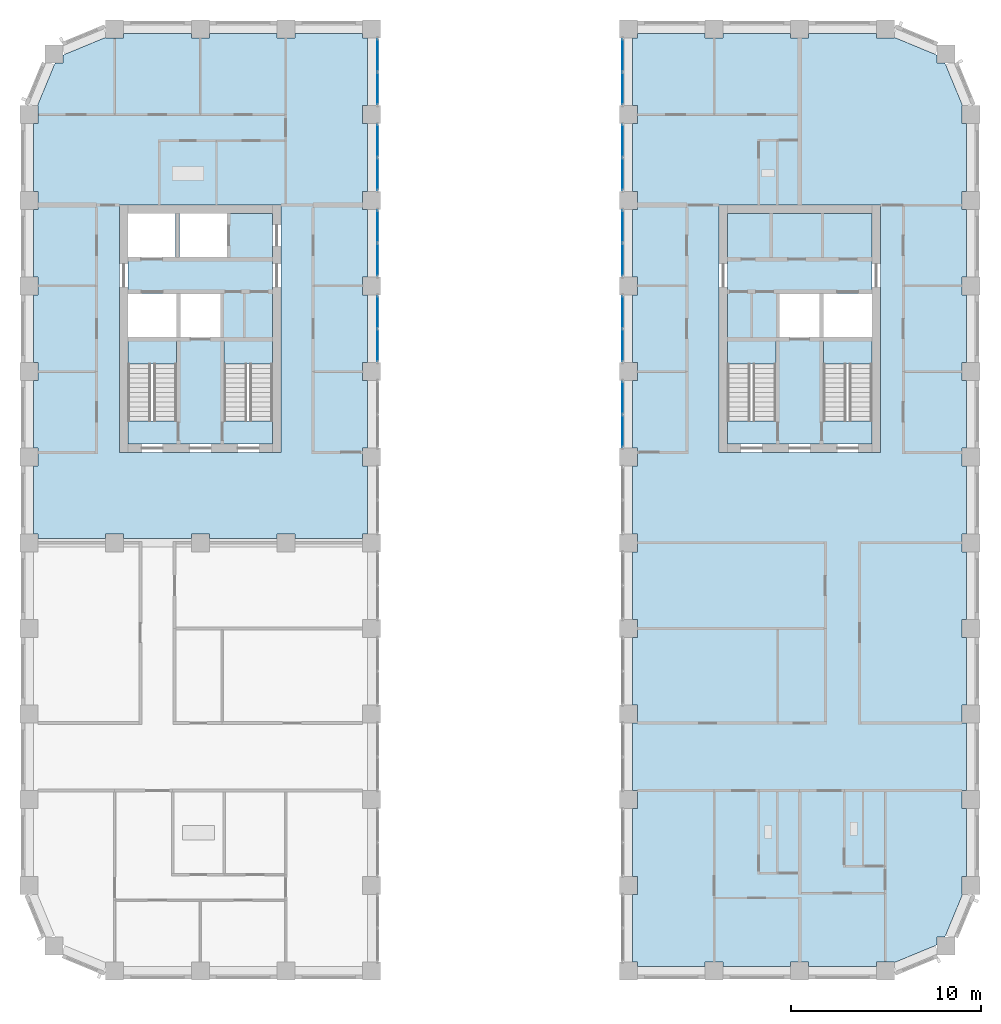
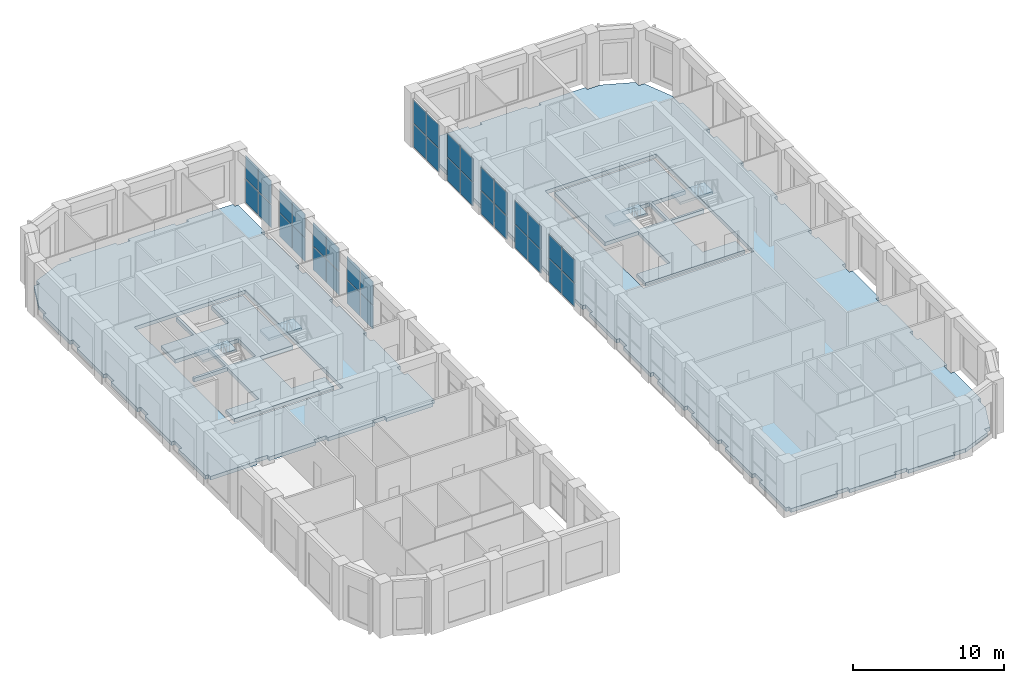
# One storey, part 8 of 19: 36 plates, 8 slabs, 13 elements without a shape of their own.
"""IFC4 building model written with IfcOpenShell, lengths in metres."""

import ifcopenshell
import ifcopenshell.guid

model = None  # the IFC model being written
_history = None  # IfcOwnerHistory: only IFC2X3 demands one
_inside = {}  # id of a spatial element -> (the spatial element, [elements in it])
_under = {}  # id of a project, library or spatial element -> (it, [spatial elements below it])
_declared = {}  # id of a project -> (the project, [libraries it declares])
_typed = {}  # id of a type object -> (the type object, [elements of that type])
_made_of = {}  # id of a material, layer set ... -> (it, [elements and type objects made of it])


def new_model(schema):
    """Start an empty IFC model of exactly this schema.

    Asked for "IFC4X3", IfcOpenShell would pick the latest addendum, in which some entities
    have other attributes; the version numbers below select the first issue.
    IFC2X3 requires an IfcOwnerHistory on every rooted entity: one is made here for all.
    """
    global model, _history
    if schema == "IFC4X3":
        model = ifcopenshell.file(schema_version=(4, 3, 0, 0))
    else:
        model = ifcopenshell.file(schema=schema)
    _inside.clear()
    _under.clear()
    _declared.clear()
    _typed.clear()
    _made_of.clear()
    _history = None
    if model.schema == "IFC2X3":
        org = make("IfcOrganization", Name="unknown")
        user = make(
            "IfcPersonAndOrganization",
            ThePerson=make("IfcPerson", FamilyName="unknown"),
            TheOrganization=org,
        )
        app = make(
            "IfcApplication",
            ApplicationDeveloper=org,
            Version="unknown",
            ApplicationFullName="unknown",
            ApplicationIdentifier="unknown",
        )
        _history = make(
            "IfcOwnerHistory",
            OwningUser=user,
            OwningApplication=app,
            ChangeAction="ADDED",
            CreationDate=0,
        )
    return model


def make(cls, **values):
    """One entity of the class cls with the attributes given. An attribute that is None is left unset."""
    return model.create_entity(
        cls, **{name: value for name, value in values.items() if value is not None}
    )


def rooted(cls, **values):
    """An entity with a GlobalId (a new one), such as an element, a storey or a relation."""
    return make(cls, GlobalId=ifcopenshell.guid.new(), OwnerHistory=_history, **values)


def si_unit(unit_type, name, prefix=None):
    """IfcSIUnit, for example si_unit("LENGTHUNIT", "METRE", prefix="MILLI")."""
    return make("IfcSIUnit", UnitType=unit_type, Prefix=prefix, Name=name)


def assignment(units):
    """IfcUnitAssignment: the units of a project."""
    return None if units is None else make("IfcUnitAssignment", Units=units)


def point(xyz):
    """IfcCartesianPoint."""
    return None if xyz is None else make("IfcCartesianPoint", Coordinates=xyz)


def direction(xyz):
    """IfcDirection."""
    return None if xyz is None else make("IfcDirection", DirectionRatios=xyz)


def frame(location, z_axis=None, x_axis=None):
    """IfcAxis2Placement3D, a coordinate frame: its origin and axes. An axis left out is left unset."""
    return make(
        "IfcAxis2Placement3D",
        Location=point(location),
        Axis=direction(z_axis),
        RefDirection=direction(x_axis),
    )


def frame_2d(location, x_axis=None):
    """IfcAxis2Placement2D, a coordinate frame in the plane: its origin and x axis."""
    return make(
        "IfcAxis2Placement2D", Location=point(location), RefDirection=direction(x_axis)
    )


def origin():
    """The frame at (0, 0, 0) with its axes left unset."""
    return frame((0.0, 0.0, 0.0))


def origin_2d():
    """The frame at (0, 0) in the plane with its x axis left unset."""
    return frame_2d((0.0, 0.0))


def place(relative_to, where):
    """IfcLocalPlacement: puts the frame where relative to a parent placement (None: the world)."""
    return make(
        "IfcLocalPlacement", PlacementRelTo=relative_to, RelativePlacement=where
    )


def context(
    kind, dimensions, precision=None, world=None, true_north=None, identifier=None
):
    """IfcGeometricRepresentationContext, for example the 3D "Model" context."""
    return make(
        "IfcGeometricRepresentationContext",
        ContextIdentifier=identifier,
        ContextType=kind,
        CoordinateSpaceDimension=dimensions,
        Precision=precision,
        WorldCoordinateSystem=world,
        TrueNorth=true_north,
    )


def subcontext(parent, identifier, kind, view, scale=None):
    """IfcGeometricRepresentationSubContext, for example "Body" below "Model"."""
    return make(
        "IfcGeometricRepresentationSubContext",
        ContextIdentifier=identifier,
        ContextType=kind,
        ParentContext=parent,
        TargetScale=scale,
        TargetView=view,
    )


def project(units=None, contexts=None):
    """IfcProject with its units and contexts."""
    return rooted(
        "IfcProject",
        Name="project",
        RepresentationContexts=contexts,
        UnitsInContext=assignment(units),
    )


def spatial(cls, under=None, at=None, **own):
    """A site, building, storey or space (cls), placed at a placement, below another one or the project."""
    s = rooted(cls, ObjectPlacement=at, **own)
    if under is not None:
        _under.setdefault(under.id(), (under, []))[1].append(s)
    return s


def polyline(points):
    """IfcPolyline through the points."""
    return make("IfcPolyline", Points=[point(p) for p in points])


def profile(cls, at=None, kind="AREA", **sizes):
    """A parametric profile (cls). Its sizes go by their IFC names, for example OverallWidth=200.0."""
    return make(cls, ProfileType=kind, Position=at, **sizes)


def rectangle(**sizes):
    """IfcRectangleProfileDef."""
    return profile("IfcRectangleProfileDef", **sizes)


def outline(outer, holes=None, kind="AREA"):
    """IfcArbitraryClosedProfileDef: a profile drawn as a closed curve; with holes, ...WithVoids."""
    if holes is None:
        return make("IfcArbitraryClosedProfileDef", ProfileType=kind, OuterCurve=outer)
    return make(
        "IfcArbitraryProfileDefWithVoids",
        ProfileType=kind,
        OuterCurve=outer,
        InnerCurves=holes,
    )


def extrude(swept, where, along, depth):
    """IfcExtrudedAreaSolid: the profile swept, set in the frame where, extruded along a direction by depth."""
    return make(
        "IfcExtrudedAreaSolid",
        SweptArea=swept,
        Position=where,
        ExtrudedDirection=direction(along),
        Depth=depth,
    )


def shape(context_of_items, identifier, shape_type, items):
    """IfcShapeRepresentation: the items that make up one representation, for example the "Body"."""
    return make(
        "IfcShapeRepresentation",
        ContextOfItems=context_of_items,
        RepresentationIdentifier=identifier,
        RepresentationType=shape_type,
        Items=items,
    )


def material(Name=None, Category=None):
    """IfcMaterial."""
    return make("IfcMaterial", Name=Name, Category=Category)


def layer(
    of_material, thickness, ventilated=None, Name=None, Category=None, Priority=None
):
    """IfcMaterialLayer: one layer of a wall or slab, of a material (None: an air gap)."""
    return make(
        "IfcMaterialLayer",
        Material=of_material,
        LayerThickness=thickness,
        IsVentilated=ventilated,
        Name=Name,
        Category=Category,
        Priority=Priority,
    )


def layer_set(layers, Name=None):
    """IfcMaterialLayerSet."""
    return make("IfcMaterialLayerSet", MaterialLayers=layers, LayerSetName=Name)


def made_of(thing, what):
    """Note that an element or type object is made of a material, layer set ...; save() writes the relation."""
    if what is not None:
        _made_of.setdefault(what.id(), (what, []))[1].append(thing)
    return thing


def type_object(cls, material=None, **own):
    """A type object (cls), such as IfcWallType, which elements share."""
    return made_of(rooted(cls, **own), material)


def element(
    cls,
    number,
    at=None,
    inside=None,
    cuts=None,
    type_object=None,
    material=None,
    context=None,
    identifier="Body",
    shape_type=None,
    held_by="IfcProductDefinitionShape",
    body=None,
    shapes=None,
    **own,
):
    """One element of the class cls, such as IfcWall. Its Tag is "e" and its number.

    at: its placement. inside: the storey or other place that contains it. cuts: it is an
    opening in that element (IfcRelVoidsElement). A single representation is given by context,
    identifier, shape_type and body (its items); several are given by shapes. held_by: the class
    of the entity that holds the representations. save() writes the other relations.
    """
    e = rooted(cls, Tag="e%d" % number, ObjectPlacement=at, **own)
    if body is not None:
        shapes = [shape(context, identifier, shape_type, body)]
    if shapes is not None:
        e.Representation = make(held_by, Representations=shapes)
    if inside is not None:
        _inside.setdefault(inside.id(), (inside, []))[1].append(e)
    if cuts is not None:
        rooted(
            "IfcRelVoidsElement", RelatingBuildingElement=cuts, RelatedOpeningElement=e
        )
    if type_object is not None:
        _typed.setdefault(type_object.id(), (type_object, []))[1].append(e)
    return made_of(e, material)


def aggregate(whole, parts):
    """IfcRelAggregates: a whole, such as a stair, and the parts it consists of."""
    return rooted("IfcRelAggregates", RelatingObject=whole, RelatedObjects=parts)


def save(model, path):
    """Write the relations noted so far, then the file.

    IfcRelAggregates (storeys below a building ...), IfcRelContainedInSpatialStructure (elements
    in a storey), IfcRelDefinesByType, IfcRelAssociatesMaterial and IfcRelDeclares: one each for
    every whole, place, type object, material and project.
    """
    for whole, parts in _under.values():
        aggregate(whole, parts)
    for where, things in _inside.values():
        rooted(
            "IfcRelContainedInSpatialStructure",
            RelatedElements=things,
            RelatingStructure=where,
        )
    for kind, things in _typed.values():
        rooted("IfcRelDefinesByType", RelatedObjects=things, RelatingType=kind)
    for what, things in _made_of.values():
        rooted("IfcRelAssociatesMaterial", RelatedObjects=things, RelatingMaterial=what)
    for by, libraries in _declared.values():
        rooted("IfcRelDeclares", RelatingContext=by, RelatedDefinitions=libraries)
    model.write(path)


model = new_model("IFC4")

# Units and contexts
model_context = context("Model", 3, precision=1e-05, world=origin(), true_north=direction((0.0, 1.0)))
body_context = subcontext(model_context, "Body", "Model", "MODEL_VIEW")
ifc_project = project(units=[si_unit("LENGTHUNIT", "METRE"), si_unit("AREAUNIT", "SQUARE_METRE"), si_unit("VOLUMEUNIT", "CUBIC_METRE"), si_unit("PLANEANGLEUNIT", "RADIAN"), si_unit("MASSUNIT", "GRAM", prefix="KILO")], contexts=[model_context])

# Site, building, storey
site_placement = place(None, origin())
site = spatial("IfcSite", under=ifc_project, at=site_placement, CompositionType="ELEMENT")
building_placement = place(site_placement, origin())
building = spatial("IfcBuilding", under=site, at=building_placement, Name="Girih Gate Residences", CompositionType="ELEMENT")
storey_placement = place(building_placement, frame((0.0, 0.0, 163.800048828125)))
storey = spatial("IfcBuildingStorey", under=building, at=storey_placement, Name="L45", CompositionType="ELEMENT", Elevation=163.800048828125)

# Slabs
ifc_material_1 = material(Name="Concrete C40/50", Category="concrete")
ifc_layer_1 = layer(ifc_material_1, 0.300048828125)
ifc_layer_set_1 = layer_set([ifc_layer_1], Name="Core floor slab 300")
slab_type_1 = type_object("IfcSlabType", Name="Core floor slab 300", PredefinedType="FLOOR", material=ifc_layer_set_1)
slab_1_placement = place(storey_placement, frame((0.0, 0.0, -0.300048828125)))
element("IfcSlab", 1, at=slab_1_placement, inside=storey, type_object=slab_type_1, Name="L45 W core floor", PredefinedType="FLOOR", context=body_context, shape_type="SweptSolid", body=[
    extrude(outline(polyline([(12.800048828125, 27.699951171875), (5.199951171875, 27.699951171875), (5.199951171875, 28.900634765625), (7.75, 28.900634765625), (7.75, 33.10009765625), (5.199951171875, 33.10009765625), (5.199951171875, 33.300048828125), (7.75, 33.300048828125), (7.75, 35.60009765625), (5.199951171875, 35.60009765625), (5.199951171875, 37.5), (7.699951171875, 37.5), (7.699951171875, 39.800048828125), (7.89990234375, 39.800048828125), (7.89990234375, 37.5), (10.39990234375, 37.5), (10.39990234375, 39.800048828125), (12.800048828125, 39.800048828125), (12.800048828125, 33.10009765625), (10.25, 33.10009765625), (10.25, 28.900634765625), (12.800048828125, 28.900634765625), (12.800048828125, 27.699951171875)]), holes=[polyline([(7.949951171875, 33.300048828125), (10.050048828125, 33.300048828125), (10.050048828125, 35.60009765625), (7.949951171875, 35.60009765625), (7.949951171875, 33.300048828125)])]), origin(), (0.0, 0.0, 1.0), 0.300048828125),
])
slab_2_placement = place(storey_placement, frame((0.0, 0.0, -0.300048828125)))
element("IfcSlab", 2, at=slab_2_placement, inside=storey, type_object=slab_type_1, Name="L45 E core floor", PredefinedType="FLOOR", context=body_context, shape_type="SweptSolid", body=[
    extrude(outline(polyline([(44.300048828125, 27.699951171875), (36.699951171875, 27.699951171875), (36.699951171875, 28.900634765625), (39.25, 28.900634765625), (39.25, 33.10009765625), (36.699951171875, 33.10009765625), (36.699951171875, 39.800048828125), (44.300048828125, 39.800048828125), (44.300048828125, 35.60009765625), (41.75, 35.60009765625), (41.75, 33.300048828125), (44.300048828125, 33.300048828125), (44.300048828125, 33.10009765625), (41.75, 33.10009765625), (41.75, 28.900634765625), (44.300048828125, 28.900634765625), (44.300048828125, 27.699951171875)]), holes=[polyline([(39.449951171875, 33.300048828125), (41.550048828125, 33.300048828125), (41.550048828125, 35.60009765625), (39.449951171875, 35.60009765625), (39.449951171875, 33.300048828125)])]), origin(), (0.0, 0.0, 1.0), 0.300048828125),
])

# Curtain wall, plates
ifc_material_2 = material(Name="Aluminium curtain wall frame", Category="aluminium")
curtain_wall_type = type_object("IfcCurtainWallType", Name="Curtain wall CW-7 portal lounge glazing", PredefinedType="NOTDEFINED", material=ifc_material_2)
curtain_wall_1_placement = place(storey_placement, origin())
curtain_wall_1 = element("IfcCurtainWall", 3, at=curtain_wall_1_placement, inside=storey, type_object=curtain_wall_type, Name="CW-7 Portal lounge glazing E0180_0000.7", PredefinedType="NOTDEFINED")
ifc_material_3 = material(Name="Double glazed unit")
ifc_layer_2 = layer(ifc_material_3, 0.028076171875)
ifc_layer_set_2 = layer_set([ifc_layer_2], Name="Curtain wall glass panel 28")
plate_type = type_object("IfcPlateType", Name="Curtain wall glass panel 28", PredefinedType="CURTAIN_PANEL", material=ifc_layer_set_2)
plate_1_placement = place(storey_placement, frame((18.31494140625, 32.87744140625, 0.06005859375), z_axis=(0.0, 0.0, 1.0), x_axis=(0.0, 1.0, 0.0)))
plate_1 = element("IfcPlate", 4, at=plate_1_placement, type_object=plate_type, Name="CW-7 panel 1.1", PredefinedType="CURTAIN_PANEL", context=body_context, shape_type="SweptSolid", body=[
    extrude(rectangle(XDim=1.68505859375, YDim=0.028076171875, at=origin_2d()), origin(), (0.0, 0.0, 1.0), 1.885009765625),
])
plate_2_placement = place(storey_placement, frame((18.31494140625, 32.87744140625, 2.0048828125), z_axis=(0.0, 0.0, 1.0), x_axis=(0.0, 1.0, 0.0)))
plate_2 = element("IfcPlate", 5, at=plate_2_placement, type_object=plate_type, Name="CW-7 panel 1.2", PredefinedType="CURTAIN_PANEL", context=body_context, shape_type="SweptSolid", body=[
    extrude(rectangle(XDim=1.68505859375, YDim=0.028076171875, at=origin_2d()), origin(), (0.0, 0.0, 1.0), 1.885009765625),
])
plate_3_placement = place(storey_placement, frame((18.31494140625, 34.62255859375, 0.06005859375), z_axis=(0.0, 0.0, 1.0), x_axis=(0.0, 1.0, 0.0)))
plate_3 = element("IfcPlate", 6, at=plate_3_placement, type_object=plate_type, Name="CW-7 panel 2.1", PredefinedType="CURTAIN_PANEL", context=body_context, shape_type="SweptSolid", body=[
    extrude(rectangle(XDim=1.68505859375, YDim=0.028076171875, at=origin_2d()), origin(), (0.0, 0.0, 1.0), 1.885009765625),
])
plate_4_placement = place(storey_placement, frame((18.31494140625, 34.62255859375, 2.0048828125), z_axis=(0.0, 0.0, 1.0), x_axis=(0.0, 1.0, 0.0)))
plate_4 = element("IfcPlate", 7, at=plate_4_placement, type_object=plate_type, Name="CW-7 panel 2.2", PredefinedType="CURTAIN_PANEL", context=body_context, shape_type="SweptSolid", body=[
    extrude(rectangle(XDim=1.68505859375, YDim=0.028076171875, at=origin_2d()), origin(), (0.0, 0.0, 1.0), 1.885009765625),
])
aggregate(curtain_wall_1, [plate_1, plate_2, plate_3, plate_4])

curtain_wall_2_placement = place(storey_placement, origin())
curtain_wall_2 = element("IfcCurtainWall", 8, at=curtain_wall_2_placement, inside=storey, type_object=curtain_wall_type, Name="CW-7 Portal lounge glazing E0180_0000.8", PredefinedType="NOTDEFINED")
plate_5_placement = place(storey_placement, frame((18.31494140625, 37.37744140625, 0.06005859375), z_axis=(0.0, 0.0, 1.0), x_axis=(0.0, 1.0, 0.0)))
plate_5 = element("IfcPlate", 9, at=plate_5_placement, type_object=plate_type, Name="CW-7 panel 1.1", PredefinedType="CURTAIN_PANEL", context=body_context, shape_type="SweptSolid", body=[
    extrude(rectangle(XDim=1.68505859375, YDim=0.028076171875, at=origin_2d()), origin(), (0.0, 0.0, 1.0), 1.885009765625),
])
plate_6_placement = place(storey_placement, frame((18.31494140625, 37.37744140625, 2.0048828125), z_axis=(0.0, 0.0, 1.0), x_axis=(0.0, 1.0, 0.0)))
plate_6 = element("IfcPlate", 10, at=plate_6_placement, type_object=plate_type, Name="CW-7 panel 1.2", PredefinedType="CURTAIN_PANEL", context=body_context, shape_type="SweptSolid", body=[
    extrude(rectangle(XDim=1.68505859375, YDim=0.028076171875, at=origin_2d()), origin(), (0.0, 0.0, 1.0), 1.885009765625),
])
plate_7_placement = place(storey_placement, frame((18.31494140625, 39.12255859375, 0.06005859375), z_axis=(0.0, 0.0, 1.0), x_axis=(0.0, 1.0, 0.0)))
plate_7 = element("IfcPlate", 11, at=plate_7_placement, type_object=plate_type, Name="CW-7 panel 2.1", PredefinedType="CURTAIN_PANEL", context=body_context, shape_type="SweptSolid", body=[
    extrude(rectangle(XDim=1.68505859375, YDim=0.028076171875, at=origin_2d()), origin(), (0.0, 0.0, 1.0), 1.885009765625),
])
plate_8_placement = place(storey_placement, frame((18.31494140625, 39.12255859375, 2.0048828125), z_axis=(0.0, 0.0, 1.0), x_axis=(0.0, 1.0, 0.0)))
plate_8 = element("IfcPlate", 12, at=plate_8_placement, type_object=plate_type, Name="CW-7 panel 2.2", PredefinedType="CURTAIN_PANEL", context=body_context, shape_type="SweptSolid", body=[
    extrude(rectangle(XDim=1.68505859375, YDim=0.028076171875, at=origin_2d()), origin(), (0.0, 0.0, 1.0), 1.885009765625),
])
aggregate(curtain_wall_2, [plate_5, plate_6, plate_7, plate_8])

curtain_wall_3_placement = place(storey_placement, origin())
curtain_wall_3 = element("IfcCurtainWall", 13, at=curtain_wall_3_placement, inside=storey, type_object=curtain_wall_type, Name="CW-7 Portal lounge glazing E0180_0000.9", PredefinedType="NOTDEFINED")
plate_9_placement = place(storey_placement, frame((18.31494140625, 41.87744140625, 0.06005859375), z_axis=(0.0, 0.0, 1.0), x_axis=(0.0, 1.0, 0.0)))
plate_9 = element("IfcPlate", 14, at=plate_9_placement, type_object=plate_type, Name="CW-7 panel 1.1", PredefinedType="CURTAIN_PANEL", context=body_context, shape_type="SweptSolid", body=[
    extrude(rectangle(XDim=1.68505859375, YDim=0.028076171875, at=origin_2d()), origin(), (0.0, 0.0, 1.0), 1.885009765625),
])
plate_10_placement = place(storey_placement, frame((18.31494140625, 41.87744140625, 2.0048828125), z_axis=(0.0, 0.0, 1.0), x_axis=(0.0, 1.0, 0.0)))
plate_10 = element("IfcPlate", 15, at=plate_10_placement, type_object=plate_type, Name="CW-7 panel 1.2", PredefinedType="CURTAIN_PANEL", context=body_context, shape_type="SweptSolid", body=[
    extrude(rectangle(XDim=1.68505859375, YDim=0.028076171875, at=origin_2d()), origin(), (0.0, 0.0, 1.0), 1.885009765625),
])
plate_11_placement = place(storey_placement, frame((18.31494140625, 43.62255859375, 0.06005859375), z_axis=(0.0, 0.0, 1.0), x_axis=(0.0, 1.0, 0.0)))
plate_11 = element("IfcPlate", 16, at=plate_11_placement, type_object=plate_type, Name="CW-7 panel 2.1", PredefinedType="CURTAIN_PANEL", context=body_context, shape_type="SweptSolid", body=[
    extrude(rectangle(XDim=1.68505859375, YDim=0.028076171875, at=origin_2d()), origin(), (0.0, 0.0, 1.0), 1.885009765625),
])
plate_12_placement = place(storey_placement, frame((18.31494140625, 43.62255859375, 2.0048828125), z_axis=(0.0, 0.0, 1.0), x_axis=(0.0, 1.0, 0.0)))
plate_12 = element("IfcPlate", 17, at=plate_12_placement, type_object=plate_type, Name="CW-7 panel 2.2", PredefinedType="CURTAIN_PANEL", context=body_context, shape_type="SweptSolid", body=[
    extrude(rectangle(XDim=1.68505859375, YDim=0.028076171875, at=origin_2d()), origin(), (0.0, 0.0, 1.0), 1.885009765625),
])
aggregate(curtain_wall_3, [plate_9, plate_10, plate_11, plate_12])

curtain_wall_4_placement = place(storey_placement, origin())
curtain_wall_4 = element("IfcCurtainWall", 18, at=curtain_wall_4_placement, inside=storey, type_object=curtain_wall_type, Name="CW-7 Portal lounge glazing E0180_0000.10", PredefinedType="NOTDEFINED")
plate_13_placement = place(storey_placement, frame((18.31494140625, 46.37744140625, 0.06005859375), z_axis=(0.0, 0.0, 1.0), x_axis=(0.0, 1.0, 0.0)))
plate_13 = element("IfcPlate", 19, at=plate_13_placement, type_object=plate_type, Name="CW-7 panel 1.1", PredefinedType="CURTAIN_PANEL", context=body_context, shape_type="SweptSolid", body=[
    extrude(rectangle(XDim=1.68505859375, YDim=0.028076171875, at=origin_2d()), origin(), (0.0, 0.0, 1.0), 1.885009765625),
])
plate_14_placement = place(storey_placement, frame((18.31494140625, 46.37744140625, 2.0048828125), z_axis=(0.0, 0.0, 1.0), x_axis=(0.0, 1.0, 0.0)))
plate_14 = element("IfcPlate", 20, at=plate_14_placement, type_object=plate_type, Name="CW-7 panel 1.2", PredefinedType="CURTAIN_PANEL", context=body_context, shape_type="SweptSolid", body=[
    extrude(rectangle(XDim=1.68505859375, YDim=0.028076171875, at=origin_2d()), origin(), (0.0, 0.0, 1.0), 1.885009765625),
])
plate_15_placement = place(storey_placement, frame((18.31494140625, 48.12255859375, 0.06005859375), z_axis=(0.0, 0.0, 1.0), x_axis=(0.0, 1.0, 0.0)))
plate_15 = element("IfcPlate", 21, at=plate_15_placement, type_object=plate_type, Name="CW-7 panel 2.1", PredefinedType="CURTAIN_PANEL", context=body_context, shape_type="SweptSolid", body=[
    extrude(rectangle(XDim=1.68505859375, YDim=0.028076171875, at=origin_2d()), origin(), (0.0, 0.0, 1.0), 1.885009765625),
])
plate_16_placement = place(storey_placement, frame((18.31494140625, 48.12255859375, 2.0048828125), z_axis=(0.0, 0.0, 1.0), x_axis=(0.0, 1.0, 0.0)))
plate_16 = element("IfcPlate", 22, at=plate_16_placement, type_object=plate_type, Name="CW-7 panel 2.2", PredefinedType="CURTAIN_PANEL", context=body_context, shape_type="SweptSolid", body=[
    extrude(rectangle(XDim=1.68505859375, YDim=0.028076171875, at=origin_2d()), origin(), (0.0, 0.0, 1.0), 1.885009765625),
])
aggregate(curtain_wall_4, [plate_13, plate_14, plate_15, plate_16])

curtain_wall_5_placement = place(storey_placement, origin())
curtain_wall_5 = element("IfcCurtainWall", 23, at=curtain_wall_5_placement, inside=storey, type_object=curtain_wall_type, Name="CW-7 Portal lounge glazing W0315_0495.0", PredefinedType="NOTDEFINED")
plate_17_placement = place(storey_placement, frame((31.18505859375, 48.12255859375, 0.06005859375), z_axis=(0.0, 0.0, 1.0), x_axis=(0.0, -1.0, 0.0)))
plate_17 = element("IfcPlate", 24, at=plate_17_placement, type_object=plate_type, Name="CW-7 panel 1.1", PredefinedType="CURTAIN_PANEL", context=body_context, shape_type="SweptSolid", body=[
    extrude(rectangle(XDim=1.68505859375, YDim=0.028076171875, at=origin_2d()), origin(), (0.0, 0.0, 1.0), 1.885009765625),
])
plate_18_placement = place(storey_placement, frame((31.18505859375, 48.12255859375, 2.0048828125), z_axis=(0.0, 0.0, 1.0), x_axis=(0.0, -1.0, 0.0)))
plate_18 = element("IfcPlate", 25, at=plate_18_placement, type_object=plate_type, Name="CW-7 panel 1.2", PredefinedType="CURTAIN_PANEL", context=body_context, shape_type="SweptSolid", body=[
    extrude(rectangle(XDim=1.68505859375, YDim=0.028076171875, at=origin_2d()), origin(), (0.0, 0.0, 1.0), 1.885009765625),
])
plate_19_placement = place(storey_placement, frame((31.18505859375, 46.37744140625, 0.06005859375), z_axis=(0.0, 0.0, 1.0), x_axis=(0.0, -1.0, 0.0)))
plate_19 = element("IfcPlate", 26, at=plate_19_placement, type_object=plate_type, Name="CW-7 panel 2.1", PredefinedType="CURTAIN_PANEL", context=body_context, shape_type="SweptSolid", body=[
    extrude(rectangle(XDim=1.68505859375, YDim=0.028076171875, at=origin_2d()), origin(), (0.0, 0.0, 1.0), 1.885009765625),
])
plate_20_placement = place(storey_placement, frame((31.18505859375, 46.37744140625, 2.0048828125), z_axis=(0.0, 0.0, 1.0), x_axis=(0.0, -1.0, 0.0)))
plate_20 = element("IfcPlate", 27, at=plate_20_placement, type_object=plate_type, Name="CW-7 panel 2.2", PredefinedType="CURTAIN_PANEL", context=body_context, shape_type="SweptSolid", body=[
    extrude(rectangle(XDim=1.68505859375, YDim=0.028076171875, at=origin_2d()), origin(), (0.0, 0.0, 1.0), 1.885009765625),
])
aggregate(curtain_wall_5, [plate_17, plate_18, plate_19, plate_20])

curtain_wall_6_placement = place(storey_placement, origin())
curtain_wall_6 = element("IfcCurtainWall", 28, at=curtain_wall_6_placement, inside=storey, type_object=curtain_wall_type, Name="CW-7 Portal lounge glazing W0315_0495.1", PredefinedType="NOTDEFINED")
plate_21_placement = place(storey_placement, frame((31.18505859375, 43.62255859375, 0.06005859375), z_axis=(0.0, 0.0, 1.0), x_axis=(0.0, -1.0, 0.0)))
plate_21 = element("IfcPlate", 29, at=plate_21_placement, type_object=plate_type, Name="CW-7 panel 1.1", PredefinedType="CURTAIN_PANEL", context=body_context, shape_type="SweptSolid", body=[
    extrude(rectangle(XDim=1.68505859375, YDim=0.028076171875, at=origin_2d()), origin(), (0.0, 0.0, 1.0), 1.885009765625),
])
plate_22_placement = place(storey_placement, frame((31.18505859375, 43.62255859375, 2.0048828125), z_axis=(0.0, 0.0, 1.0), x_axis=(0.0, -1.0, 0.0)))
plate_22 = element("IfcPlate", 30, at=plate_22_placement, type_object=plate_type, Name="CW-7 panel 1.2", PredefinedType="CURTAIN_PANEL", context=body_context, shape_type="SweptSolid", body=[
    extrude(rectangle(XDim=1.68505859375, YDim=0.028076171875, at=origin_2d()), origin(), (0.0, 0.0, 1.0), 1.885009765625),
])
plate_23_placement = place(storey_placement, frame((31.18505859375, 41.87744140625, 0.06005859375), z_axis=(0.0, 0.0, 1.0), x_axis=(0.0, -1.0, 0.0)))
plate_23 = element("IfcPlate", 31, at=plate_23_placement, type_object=plate_type, Name="CW-7 panel 2.1", PredefinedType="CURTAIN_PANEL", context=body_context, shape_type="SweptSolid", body=[
    extrude(rectangle(XDim=1.68505859375, YDim=0.028076171875, at=origin_2d()), origin(), (0.0, 0.0, 1.0), 1.885009765625),
])
plate_24_placement = place(storey_placement, frame((31.18505859375, 41.87744140625, 2.0048828125), z_axis=(0.0, 0.0, 1.0), x_axis=(0.0, -1.0, 0.0)))
plate_24 = element("IfcPlate", 32, at=plate_24_placement, type_object=plate_type, Name="CW-7 panel 2.2", PredefinedType="CURTAIN_PANEL", context=body_context, shape_type="SweptSolid", body=[
    extrude(rectangle(XDim=1.68505859375, YDim=0.028076171875, at=origin_2d()), origin(), (0.0, 0.0, 1.0), 1.885009765625),
])
aggregate(curtain_wall_6, [plate_21, plate_22, plate_23, plate_24])

curtain_wall_7_placement = place(storey_placement, origin())
curtain_wall_7 = element("IfcCurtainWall", 33, at=curtain_wall_7_placement, inside=storey, type_object=curtain_wall_type, Name="CW-7 Portal lounge glazing W0315_0495.2", PredefinedType="NOTDEFINED")
plate_25_placement = place(storey_placement, frame((31.18505859375, 39.12255859375, 0.06005859375), z_axis=(0.0, 0.0, 1.0), x_axis=(0.0, -1.0, 0.0)))
plate_25 = element("IfcPlate", 34, at=plate_25_placement, type_object=plate_type, Name="CW-7 panel 1.1", PredefinedType="CURTAIN_PANEL", context=body_context, shape_type="SweptSolid", body=[
    extrude(rectangle(XDim=1.68505859375, YDim=0.028076171875, at=origin_2d()), origin(), (0.0, 0.0, 1.0), 1.885009765625),
])
plate_26_placement = place(storey_placement, frame((31.18505859375, 39.12255859375, 2.0048828125), z_axis=(0.0, 0.0, 1.0), x_axis=(0.0, -1.0, 0.0)))
plate_26 = element("IfcPlate", 35, at=plate_26_placement, type_object=plate_type, Name="CW-7 panel 1.2", PredefinedType="CURTAIN_PANEL", context=body_context, shape_type="SweptSolid", body=[
    extrude(rectangle(XDim=1.68505859375, YDim=0.028076171875, at=origin_2d()), origin(), (0.0, 0.0, 1.0), 1.885009765625),
])
plate_27_placement = place(storey_placement, frame((31.18505859375, 37.37744140625, 0.06005859375), z_axis=(0.0, 0.0, 1.0), x_axis=(0.0, -1.0, 0.0)))
plate_27 = element("IfcPlate", 36, at=plate_27_placement, type_object=plate_type, Name="CW-7 panel 2.1", PredefinedType="CURTAIN_PANEL", context=body_context, shape_type="SweptSolid", body=[
    extrude(rectangle(XDim=1.68505859375, YDim=0.028076171875, at=origin_2d()), origin(), (0.0, 0.0, 1.0), 1.885009765625),
])
plate_28_placement = place(storey_placement, frame((31.18505859375, 37.37744140625, 2.0048828125), z_axis=(0.0, 0.0, 1.0), x_axis=(0.0, -1.0, 0.0)))
plate_28 = element("IfcPlate", 37, at=plate_28_placement, type_object=plate_type, Name="CW-7 panel 2.2", PredefinedType="CURTAIN_PANEL", context=body_context, shape_type="SweptSolid", body=[
    extrude(rectangle(XDim=1.68505859375, YDim=0.028076171875, at=origin_2d()), origin(), (0.0, 0.0, 1.0), 1.885009765625),
])
aggregate(curtain_wall_7, [plate_25, plate_26, plate_27, plate_28])

curtain_wall_8_placement = place(storey_placement, origin())
curtain_wall_8 = element("IfcCurtainWall", 38, at=curtain_wall_8_placement, inside=storey, type_object=curtain_wall_type, Name="CW-7 Portal lounge glazing W0315_0495.3", PredefinedType="NOTDEFINED")
plate_29_placement = place(storey_placement, frame((31.18505859375, 34.62255859375, 0.06005859375), z_axis=(0.0, 0.0, 1.0), x_axis=(0.0, -1.0, 0.0)))
plate_29 = element("IfcPlate", 39, at=plate_29_placement, type_object=plate_type, Name="CW-7 panel 1.1", PredefinedType="CURTAIN_PANEL", context=body_context, shape_type="SweptSolid", body=[
    extrude(rectangle(XDim=1.68505859375, YDim=0.028076171875, at=origin_2d()), origin(), (0.0, 0.0, 1.0), 1.885009765625),
])
plate_30_placement = place(storey_placement, frame((31.18505859375, 34.62255859375, 2.0048828125), z_axis=(0.0, 0.0, 1.0), x_axis=(0.0, -1.0, 0.0)))
plate_30 = element("IfcPlate", 40, at=plate_30_placement, type_object=plate_type, Name="CW-7 panel 1.2", PredefinedType="CURTAIN_PANEL", context=body_context, shape_type="SweptSolid", body=[
    extrude(rectangle(XDim=1.68505859375, YDim=0.028076171875, at=origin_2d()), origin(), (0.0, 0.0, 1.0), 1.885009765625),
])
plate_31_placement = place(storey_placement, frame((31.18505859375, 32.87744140625, 0.06005859375), z_axis=(0.0, 0.0, 1.0), x_axis=(0.0, -1.0, 0.0)))
plate_31 = element("IfcPlate", 41, at=plate_31_placement, type_object=plate_type, Name="CW-7 panel 2.1", PredefinedType="CURTAIN_PANEL", context=body_context, shape_type="SweptSolid", body=[
    extrude(rectangle(XDim=1.68505859375, YDim=0.028076171875, at=origin_2d()), origin(), (0.0, 0.0, 1.0), 1.885009765625),
])
plate_32_placement = place(storey_placement, frame((31.18505859375, 32.87744140625, 2.0048828125), z_axis=(0.0, 0.0, 1.0), x_axis=(0.0, -1.0, 0.0)))
plate_32 = element("IfcPlate", 42, at=plate_32_placement, type_object=plate_type, Name="CW-7 panel 2.2", PredefinedType="CURTAIN_PANEL", context=body_context, shape_type="SweptSolid", body=[
    extrude(rectangle(XDim=1.68505859375, YDim=0.028076171875, at=origin_2d()), origin(), (0.0, 0.0, 1.0), 1.885009765625),
])
aggregate(curtain_wall_8, [plate_29, plate_30, plate_31, plate_32])

curtain_wall_9_placement = place(storey_placement, origin())
curtain_wall_9 = element("IfcCurtainWall", 43, at=curtain_wall_9_placement, inside=storey, type_object=curtain_wall_type, Name="CW-7 Portal lounge glazing W0315_0495.4", PredefinedType="NOTDEFINED")
plate_33_placement = place(storey_placement, frame((31.18505859375, 30.12255859375, 0.06005859375), z_axis=(0.0, 0.0, 1.0), x_axis=(0.0, -1.0, 0.0)))
plate_33 = element("IfcPlate", 44, at=plate_33_placement, type_object=plate_type, Name="CW-7 panel 1.1", PredefinedType="CURTAIN_PANEL", context=body_context, shape_type="SweptSolid", body=[
    extrude(rectangle(XDim=1.68505859375, YDim=0.028076171875, at=origin_2d()), origin(), (0.0, 0.0, 1.0), 1.885009765625),
])
plate_34_placement = place(storey_placement, frame((31.18505859375, 30.12255859375, 2.0048828125), z_axis=(0.0, 0.0, 1.0), x_axis=(0.0, -1.0, 0.0)))
plate_34 = element("IfcPlate", 45, at=plate_34_placement, type_object=plate_type, Name="CW-7 panel 1.2", PredefinedType="CURTAIN_PANEL", context=body_context, shape_type="SweptSolid", body=[
    extrude(rectangle(XDim=1.68505859375, YDim=0.028076171875, at=origin_2d()), origin(), (0.0, 0.0, 1.0), 1.885009765625),
])
plate_35_placement = place(storey_placement, frame((31.18505859375, 28.37744140625, 0.06005859375), z_axis=(0.0, 0.0, 1.0), x_axis=(0.0, -1.0, 0.0)))
plate_35 = element("IfcPlate", 46, at=plate_35_placement, type_object=plate_type, Name="CW-7 panel 2.1", PredefinedType="CURTAIN_PANEL", context=body_context, shape_type="SweptSolid", body=[
    extrude(rectangle(XDim=1.68505859375, YDim=0.028076171875, at=origin_2d()), origin(), (0.0, 0.0, 1.0), 1.885009765625),
])
plate_36_placement = place(storey_placement, frame((31.18505859375, 28.37744140625, 2.0048828125), z_axis=(0.0, 0.0, 1.0), x_axis=(0.0, -1.0, 0.0)))
plate_36 = element("IfcPlate", 47, at=plate_36_placement, type_object=plate_type, Name="CW-7 panel 2.2", PredefinedType="CURTAIN_PANEL", context=body_context, shape_type="SweptSolid", body=[
    extrude(rectangle(XDim=1.68505859375, YDim=0.028076171875, at=origin_2d()), origin(), (0.0, 0.0, 1.0), 1.885009765625),
])
aggregate(curtain_wall_9, [plate_33, plate_34, plate_35, plate_36])

# Slabs
ifc_layer_3 = layer(ifc_material_1, 0.300048828125)
ifc_layer_set_3 = layer_set([ifc_layer_3], Name="Floor slab PT 300 Concrete C40/50")
slab_type_2 = type_object("IfcSlabType", Name="Floor slab PT 300 Concrete C40/50", PredefinedType="FLOOR", material=ifc_layer_set_3)
slab_3_placement = place(storey_placement, frame((0.0, 0.0, -0.300048828125)))
element("IfcSlab", 48, at=slab_3_placement, inside=storey, type_object=slab_type_2, Name="Floor slab L45 1", PredefinedType="FLOOR", context=body_context, shape_type="SweptSolid", body=[
    extrude(outline(polyline([(35.52490234375, 49.27490234375), (31.97509765625, 49.27490234375), (31.97509765625, 49.02490234375), (31.72509765625, 49.02490234375), (31.72509765625, 45.47509765625), (31.97509765625, 45.47509765625), (31.97509765625, 44.52490234375), (31.72509765625, 44.52490234375), (31.72509765625, 40.97509765625), (31.97509765625, 40.97509765625), (31.97509765625, 40.02490234375), (31.72509765625, 40.02490234375), (31.72509765625, 36.47509765625), (31.97509765625, 36.47509765625), (31.97509765625, 35.52490234375), (31.72509765625, 35.52490234375), (31.72509765625, 31.97509765625), (31.97509765625, 31.97509765625), (31.97509765625, 31.02490234375), (31.72509765625, 31.02490234375), (31.72509765625, 27.47509765625), (31.97509765625, 27.47509765625), (31.97509765625, 26.52490234375), (31.72509765625, 26.52490234375), (31.72509765625, 22.97509765625), (31.97509765625, 22.97509765625), (31.97509765625, 22.02490234375), (31.72509765625, 22.02490234375), (31.72509765625, 18.47509765625), (31.97509765625, 18.47509765625), (31.97509765625, 17.52490234375), (31.72509765625, 17.52490234375), (31.72509765625, 13.97509765625), (31.97509765625, 13.97509765625), (31.97509765625, 13.02490234375), (31.72509765625, 13.02490234375), (31.72509765625, 9.47509765625), (31.97509765625, 9.47509765625), (31.97509765625, 8.52490234375), (31.72509765625, 8.52490234375), (31.72509765625, 4.97509765625), (31.97509765625, 4.97509765625), (31.97509765625, 4.02490234375), (31.72509765625, 4.02490234375), (31.72509765625, 0.47509765625), (31.97509765625, 0.47509765625), (31.97509765625, 0.22509765625), (35.52490234375, 0.22509765625), (35.52490234375, 0.47509765625), (36.47509765625, 0.47509765625), (36.47509765625, 0.22509765625), (40.02490234375, 0.22509765625), (40.02490234375, 0.47509765625), (40.97509765625, 0.47509765625), (40.97509765625, 0.22509765625), (44.52490234375, 0.22509765625), (44.52490234375, 0.47509765625), (45.47509765625, 0.47509765625), (45.47509765625, 0.440185546875), (47.70703125, 1.36474609375), (47.70703125, 1.79296875), (48.13525390625, 1.79296875), (49.059814453125, 4.02490234375), (49.02490234375, 4.02490234375), (49.02490234375, 4.97509765625), (49.27490234375, 4.97509765625), (49.27490234375, 8.52490234375), (49.02490234375, 8.52490234375), (49.02490234375, 9.47509765625), (49.27490234375, 9.47509765625), (49.27490234375, 13.02490234375), (49.02490234375, 13.02490234375), (49.02490234375, 13.97509765625), (49.27490234375, 13.97509765625), (49.27490234375, 17.52490234375), (49.02490234375, 17.52490234375), (49.02490234375, 18.47509765625), (49.27490234375, 18.47509765625), (49.27490234375, 22.02490234375), (49.02490234375, 22.02490234375), (49.02490234375, 22.97509765625), (49.27490234375, 22.97509765625), (49.27490234375, 26.52490234375), (49.02490234375, 26.52490234375), (49.02490234375, 27.47509765625), (49.27490234375, 27.47509765625), (49.27490234375, 31.02490234375), (49.02490234375, 31.02490234375), (49.02490234375, 31.97509765625), (49.27490234375, 31.97509765625), (49.27490234375, 35.52490234375), (49.02490234375, 35.52490234375), (49.02490234375, 36.47509765625), (49.27490234375, 36.47509765625), (49.27490234375, 40.02490234375), (49.02490234375, 40.02490234375), (49.02490234375, 40.97509765625), (49.27490234375, 40.97509765625), (49.27490234375, 44.52490234375), (49.02490234375, 44.52490234375), (49.02490234375, 45.47509765625), (49.059814453125, 45.47509765625), (48.13525390625, 47.70703125), (47.70703125, 47.70703125), (47.70703125, 48.13525390625), (45.47509765625, 49.059814453125), (45.47509765625, 49.02490234375), (44.52490234375, 49.02490234375), (44.52490234375, 49.27490234375), (40.97509765625, 49.27490234375), (40.97509765625, 49.02490234375), (40.02490234375, 49.02490234375), (40.02490234375, 49.27490234375), (36.47509765625, 49.27490234375), (36.47509765625, 49.02490234375), (35.52490234375, 49.02490234375), (35.52490234375, 49.27490234375)]), holes=[polyline([(44.75, 40.25), (44.75, 27.25), (36.25, 27.25), (36.25, 40.25), (44.75, 40.25)])]), origin(), (0.0, 0.0, 1.0), 0.300048828125),
])
slab_4_placement = place(storey_placement, frame((0.0, 0.0, -0.300048828125)))
element("IfcSlab", 49, at=slab_4_placement, inside=storey, type_object=slab_type_2, Name="Floor slab L45 2", PredefinedType="FLOOR", context=body_context, shape_type="SweptSolid", body=[
    extrude(outline(polyline([(0.22509765625, 26.52490234375), (0.22509765625, 22.97509765625), (0.47509765625, 22.97509765625), (0.47509765625, 22.72509765625), (4.02490234375, 22.72509765625), (4.02490234375, 22.97509765625), (4.97509765625, 22.97509765625), (4.97509765625, 22.72509765625), (8.52490234375, 22.72509765625), (8.52490234375, 22.97509765625), (9.47509765625, 22.97509765625), (9.47509765625, 22.72509765625), (13.02490234375, 22.72509765625), (13.02490234375, 22.97509765625), (13.97509765625, 22.97509765625), (13.97509765625, 22.72509765625), (17.52490234375, 22.72509765625), (17.52490234375, 22.97509765625), (17.77490234375, 22.97509765625), (17.77490234375, 26.52490234375), (17.52490234375, 26.52490234375), (17.52490234375, 27.47509765625), (17.77490234375, 27.47509765625), (17.77490234375, 31.02490234375), (17.52490234375, 31.02490234375), (17.52490234375, 31.97509765625), (17.77490234375, 31.97509765625), (17.77490234375, 35.52490234375), (17.52490234375, 35.52490234375), (17.52490234375, 36.47509765625), (17.77490234375, 36.47509765625), (17.77490234375, 40.02490234375), (17.52490234375, 40.02490234375), (17.52490234375, 40.97509765625), (17.77490234375, 40.97509765625), (17.77490234375, 44.52490234375), (17.52490234375, 44.52490234375), (17.52490234375, 45.47509765625), (17.77490234375, 45.47509765625), (17.77490234375, 49.02490234375), (17.52490234375, 49.02490234375), (17.52490234375, 49.27490234375), (13.97509765625, 49.27490234375), (13.97509765625, 49.02490234375), (13.02490234375, 49.02490234375), (13.02490234375, 49.27490234375), (9.47509765625, 49.27490234375), (9.47509765625, 49.02490234375), (8.52490234375, 49.02490234375), (8.52490234375, 49.27490234375), (4.97509765625, 49.27490234375), (4.97509765625, 49.02490234375), (4.02490234375, 49.02490234375), (4.02490234375, 49.059814453125), (1.79296875, 48.13525390625), (1.79296875, 47.70703125), (1.36474609375, 47.70703125), (0.440185546875, 45.47509765625), (0.47509765625, 45.47509765625), (0.47509765625, 44.52490234375), (0.22509765625, 44.52490234375), (0.22509765625, 40.97509765625), (0.47509765625, 40.97509765625), (0.47509765625, 40.02490234375), (0.22509765625, 40.02490234375), (0.22509765625, 36.47509765625), (0.47509765625, 36.47509765625), (0.47509765625, 35.52490234375), (0.22509765625, 35.52490234375), (0.22509765625, 31.97509765625), (0.47509765625, 31.97509765625), (0.47509765625, 31.02490234375), (0.22509765625, 31.02490234375), (0.22509765625, 27.47509765625), (0.47509765625, 27.47509765625), (0.47509765625, 26.52490234375), (0.22509765625, 26.52490234375)]), holes=[polyline([(13.25, 40.25), (13.25, 27.25), (4.75, 27.25), (4.75, 40.25), (13.25, 40.25)])]), origin(), (0.0, 0.0, 1.0), 0.300048828125),
])

# Stair, slab
stair_type = type_object("IfcStairType", Name="Exit stair", PredefinedType="HALF_TURN_STAIR", material=ifc_material_1)
stair_1_placement = place(storey_placement, origin())
stair_1 = element("IfcStair", 50, at=stair_1_placement, inside=storey, type_object=stair_type, Name="L45 Exit Stair ST-W1", PredefinedType="HALF_TURN_STAIR")
ifc_layer_4 = layer(ifc_material_1, 0.199951171875)
ifc_layer_set_4 = layer_set([ifc_layer_4], Name="Stair landing 200")
slab_type_3 = type_object("IfcSlabType", Name="Stair landing 200", PredefinedType="LANDING", material=ifc_layer_set_4)
slab_5_placement = place(storey_placement, frame((0.0, 0.0, 2.0)))
slab_5 = element("IfcSlab", 51, at=slab_5_placement, type_object=slab_type_3, Name="ST-W1 landing 1", PredefinedType="LANDING", context=body_context, shape_type="SweptSolid", body=[
    extrude(outline(polyline([(7.75, 31.89990234375), (7.75, 33.10009765625), (5.199951171875, 33.10009765625), (5.199951171875, 31.89990234375), (7.75, 31.89990234375)])), origin(), (0.0, 0.0, 1.0), 0.199951171875),
])
aggregate(stair_1, [slab_5])

stair_2_placement = place(storey_placement, origin())
stair_2 = element("IfcStair", 52, at=stair_2_placement, inside=storey, type_object=stair_type, Name="L45 Exit Stair ST-W2", PredefinedType="HALF_TURN_STAIR")
slab_6_placement = place(storey_placement, frame((0.0, 0.0, 2.0)))
slab_6 = element("IfcSlab", 53, at=slab_6_placement, type_object=slab_type_3, Name="ST-W2 landing 1", PredefinedType="LANDING", context=body_context, shape_type="SweptSolid", body=[
    extrude(outline(polyline([(12.800048828125, 31.89990234375), (12.800048828125, 33.10009765625), (10.25, 33.10009765625), (10.25, 31.89990234375), (12.800048828125, 31.89990234375)])), origin(), (0.0, 0.0, 1.0), 0.199951171875),
])
aggregate(stair_2, [slab_6])

stair_3_placement = place(storey_placement, origin())
stair_3 = element("IfcStair", 54, at=stair_3_placement, inside=storey, type_object=stair_type, Name="L45 Exit Stair ST-E1", PredefinedType="HALF_TURN_STAIR")
slab_7_placement = place(storey_placement, frame((0.0, 0.0, 2.0)))
slab_7 = element("IfcSlab", 55, at=slab_7_placement, type_object=slab_type_3, Name="ST-E1 landing 1", PredefinedType="LANDING", context=body_context, shape_type="SweptSolid", body=[
    extrude(outline(polyline([(44.300048828125, 31.89990234375), (44.300048828125, 33.10009765625), (41.75, 33.10009765625), (41.75, 31.89990234375), (44.300048828125, 31.89990234375)])), origin(), (0.0, 0.0, 1.0), 0.199951171875),
])
aggregate(stair_3, [slab_7])

stair_4_placement = place(storey_placement, origin())
stair_4 = element("IfcStair", 56, at=stair_4_placement, inside=storey, type_object=stair_type, Name="L45 Exit Stair ST-E2", PredefinedType="HALF_TURN_STAIR")
slab_8_placement = place(storey_placement, frame((0.0, 0.0, 2.0)))
slab_8 = element("IfcSlab", 57, at=slab_8_placement, type_object=slab_type_3, Name="ST-E2 landing 1", PredefinedType="LANDING", context=body_context, shape_type="SweptSolid", body=[
    extrude(outline(polyline([(39.25, 31.89990234375), (39.25, 33.10009765625), (36.699951171875, 33.10009765625), (36.699951171875, 31.89990234375), (39.25, 31.89990234375)])), origin(), (0.0, 0.0, 1.0), 0.199951171875),
])
aggregate(stair_4, [slab_8])

save(model, "model.ifc")
